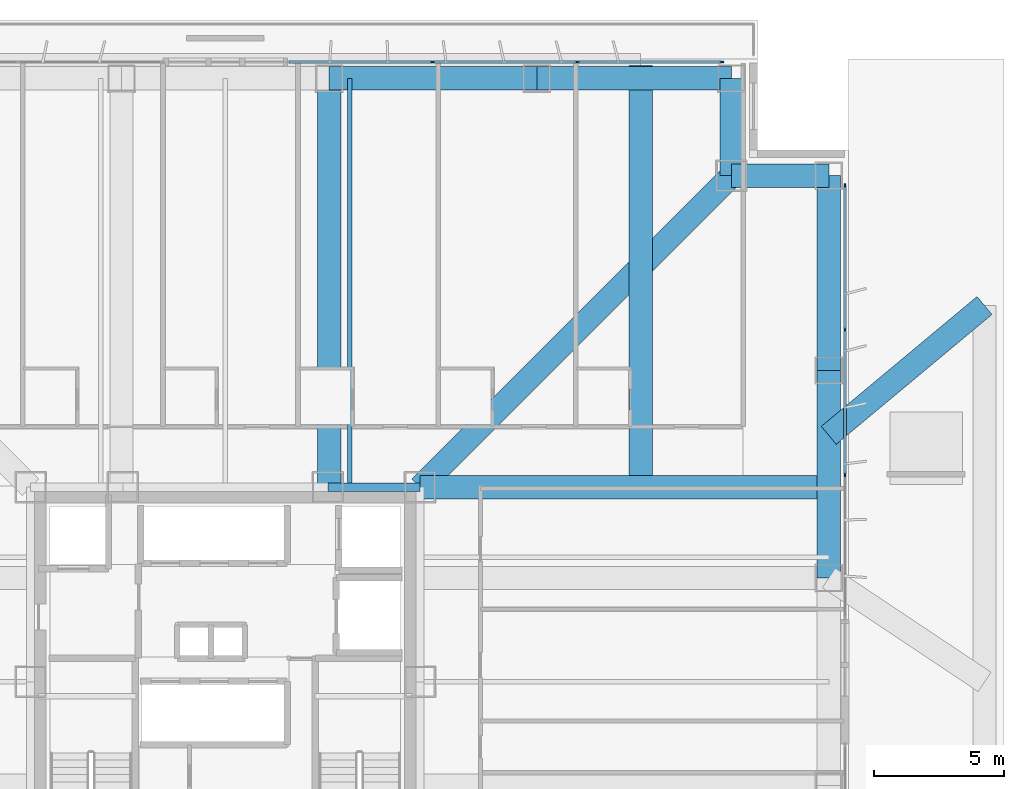
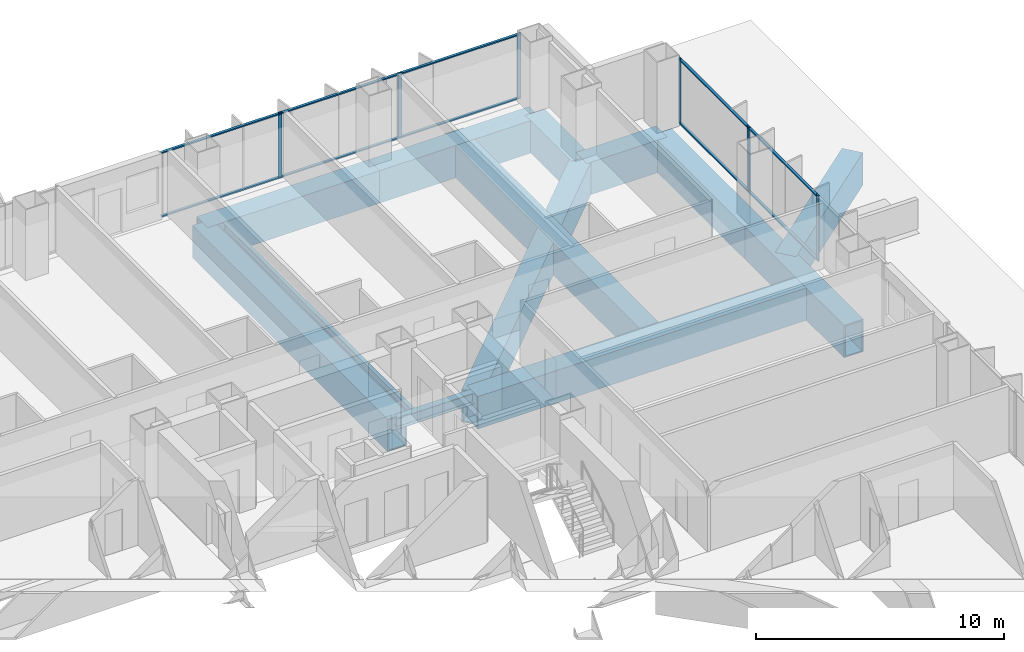
# One storey, part 13 of 24: 16 members, 13 beams, 2 elements without a shape of their own.
"""IFC4 building model written with IfcOpenShell, lengths in metres."""

from ifc_helpers import new_model, si_unit, direction, frame, origin, origin_2d, place, context, subcontext, project, spatial, rectangle, hollow_rectangle, i_section, extrude, material, layer, layer_set, material_profile, profile_set, type_object, element, aggregate, save


model = new_model("IFC4")

# Units and contexts
model_context = context("Model", 3, precision=1e-05, world=origin(), true_north=direction((0.0, 1.0)))
body_context = subcontext(model_context, "Body", "Model", "MODEL_VIEW")
ifc_project = project(units=[si_unit("LENGTHUNIT", "METRE"), si_unit("AREAUNIT", "SQUARE_METRE"), si_unit("VOLUMEUNIT", "CUBIC_METRE"), si_unit("PLANEANGLEUNIT", "RADIAN"), si_unit("MASSUNIT", "GRAM", prefix="KILO")], contexts=[model_context])

# Site, building, storey
site_placement = place(None, origin())
site = spatial("IfcSite", under=ifc_project, at=site_placement, CompositionType="ELEMENT")
building_placement = place(site_placement, origin())
building = spatial("IfcBuilding", under=site, at=building_placement, Name="Trevonay Congress Spire", CompositionType="ELEMENT")
storey_placement = place(building_placement, frame((0.0, 0.0, 27.0)))
storey = spatial("IfcBuildingStorey", under=building, at=storey_placement, Name="L05", CompositionType="ELEMENT", Elevation=27.0)

# Beams
ifc_material_1 = material(Name="Steel ASTM A572 Grade 50", Category="steel")
ifc_material_profile_1 = material_profile(ifc_material_1, i_section(OverallWidth=0.31201171875, OverallDepth=0.54296875, WebThickness=0.0126953125, FlangeThickness=0.020263671875, FilletRadius=0.014892578125, at=origin_2d()), Name="W530x150")
ifc_profile_set_1 = profile_set([ifc_material_profile_1], Name="Steel ASTM A572 Grade 50")
beam_type_1 = type_object("IfcBeamType", Name="BM-GIRD-W530X150", PredefinedType="BEAM", material=ifc_profile_set_1)
beam_1_placement = place(storey_placement, frame((3.949951171875, 7.5, -0.67138671875), z_axis=(1.0, 0.0, 0.0), x_axis=(0.0, 1.0, 0.0)))
element("IfcBeam", 1, at=beam_1_placement, inside=storey, type_object=beam_type_1, Name="L05 structural beam BM-L05-CR-N3", PredefinedType="BEAM", context=body_context, shape_type="SweptSolid", body=[
    extrude(i_section(OverallWidth=0.31201171875, OverallDepth=0.54296875, WebThickness=0.0126953125, FlangeThickness=0.020263671875, FilletRadius=0.014892578125, at=origin_2d()), origin(), (0.0, 0.0, 1.0), 3.550048828125),
])
ifc_material_profile_2 = material_profile(ifc_material_1, hollow_rectangle(XDim=0.89990234375, YDim=1.60009765625, WallThickness=0.06005859375, at=origin_2d()), Name="BOX 1600x900x60")
ifc_profile_set_2 = profile_set([ifc_material_profile_2], Name="Steel ASTM A572 Grade 50")
beam_type_2 = type_object("IfcBeamType", Name="BM-RING-BOX1600", PredefinedType="BEAM", material=ifc_profile_set_2)
for number, where, z_axis, x_axis, name in (
    (2, (4.0, 23.25, -1.199951171875), (1.0, 0.0, 0.0), (0.0, 1.0, 0.0), "L05 structural beam BM-L05-PN4"),
    (3, (23.25, 4.0, -1.199951171875), (0.0, 1.0, 0.0), (-1.0, 0.0, 0.0), "L05 structural beam BM-L05-PE4"),
):
    element("IfcBeam", number, at=place(storey_placement, frame(where, z_axis=z_axis, x_axis=x_axis)), inside=storey, type_object=beam_type_2, Name=name, PredefinedType="BEAM", context=body_context, shape_type="SweptSolid", body=[
        extrude(hollow_rectangle(XDim=0.89990234375, YDim=1.60009765625, WallThickness=0.06005859375, at=origin_2d()), origin(), (0.0, 0.0, 1.0), 8.0),
    ])
for number, where, z_axis, x_axis, name in (
    (4, (12.0, 23.25, -1.199951171875), (1.0, 0.0, 0.0), (0.0, 1.0, 0.0), "L05 structural beam BM-L05-PN5"),
    (5, (23.25, 12.0, -1.199951171875), (0.0, 1.0, 0.0), (-1.0, 0.0, 0.0), "L05 structural beam BM-L05-PE5"),
):
    element("IfcBeam", number, at=place(storey_placement, frame(where, z_axis=z_axis, x_axis=x_axis)), inside=storey, type_object=beam_type_2, Name=name, PredefinedType="BEAM", context=body_context, shape_type="SweptSolid", body=[
        extrude(hollow_rectangle(XDim=0.89990234375, YDim=1.60009765625, WallThickness=0.06005859375, at=origin_2d()), origin(), (0.0, 0.0, 1.0), 7.5),
    ])
for number, where, z_axis, x_axis, name in (
    (6, (19.5, 23.25, -1.199951171875), (0.0, -1.0, 0.0), (1.0, 0.0, 0.0), "L05 structural beam BM-L05-N1NE"),
    (7, (23.25, 19.5, -1.199951171875), (-1.0, 0.0, 0.0), (0.0, -1.0, 0.0), "L05 structural beam BM-L05-N2NE"),
):
    element("IfcBeam", number, at=place(storey_placement, frame(where, z_axis=z_axis, x_axis=x_axis)), inside=storey, type_object=beam_type_2, Name=name, PredefinedType="BEAM", context=body_context, shape_type="SweptSolid", body=[
        extrude(hollow_rectangle(XDim=0.89990234375, YDim=1.60009765625, WallThickness=0.06005859375, at=origin_2d()), origin(), (0.0, 0.0, 1.0), 3.75),
    ])
ifc_material_profile_3 = material_profile(ifc_material_1, hollow_rectangle(XDim=0.89990234375, YDim=1.60009765625, WallThickness=0.06005859375, at=origin_2d()), Name="BOX 1600x900x60")
ifc_profile_set_3 = profile_set([ifc_material_profile_3], Name="Steel ASTM A572 Grade 50")
beam_type_3 = type_object("IfcBeamType", Name="BM-XFER-BOX1600", PredefinedType="BEAM", material=ifc_profile_set_3)
beam_2_placement = place(storey_placement, frame((23.25, 9.5, -1.199951171875), z_axis=(0.768221279597, 0.640184399664, 0.0), x_axis=(-0.640184399664, 0.768221279597, 0.0)))
element("IfcBeam", 8, at=beam_2_placement, inside=storey, type_object=beam_type_3, Name="L05 structural beam BM-L05T-ET2", PredefinedType="BEAM", context=body_context, shape_type="SweptSolid", body=[
    extrude(hollow_rectangle(XDim=0.89990234375, YDim=1.60009765625, WallThickness=0.06005859375, at=origin_2d()), origin(), (0.0, 0.0, 1.0), 7.810302734375),
])
beam_3_placement = place(storey_placement, frame((16.0, 7.5, -1.199951171875), z_axis=(0.0, 1.0, 0.0), x_axis=(-1.0, 0.0, 0.0)))
element("IfcBeam", 9, at=beam_3_placement, inside=storey, type_object=beam_type_3, Name="L05 structural beam BM-L05T-NT2", PredefinedType="BEAM", context=body_context, shape_type="SweptSolid", body=[
    extrude(hollow_rectangle(XDim=0.89990234375, YDim=1.60009765625, WallThickness=0.06005859375, at=origin_2d()), origin(), (0.0, 0.0, 1.0), 16.25),
])
beam_4_placement = place(storey_placement, frame((7.5, 7.5, -1.199951171875), z_axis=(1.0, 0.0, 0.0), x_axis=(0.0, 1.0, 0.0)))
element("IfcBeam", 10, at=beam_4_placement, inside=storey, type_object=beam_type_3, Name="L05 structural beam BM-L05T-EWN", PredefinedType="BEAM", context=body_context, shape_type="SweptSolid", body=[
    extrude(hollow_rectangle(XDim=0.89990234375, YDim=1.60009765625, WallThickness=0.06005859375, at=origin_2d()), origin(), (0.0, 0.0, 1.0), 15.75),
])
beam_5_placement = place(storey_placement, frame((7.5, 7.5, -1.199951171875), z_axis=(0.707106781187, 0.707106781187, 0.0), x_axis=(-0.707106781187, 0.707106781187, 0.0)))
element("IfcBeam", 11, at=beam_5_placement, inside=storey, type_object=beam_type_3, Name="L05 structural beam BM-L05-CDNE", PredefinedType="BEAM", context=body_context, shape_type="SweptSolid", body=[
    extrude(hollow_rectangle(XDim=0.89990234375, YDim=1.60009765625, WallThickness=0.06005859375, at=origin_2d()), origin(), (0.0, 0.0, 1.0), 16.970458984375),
])
beam_6_placement = place(storey_placement, frame((4.0, 7.5, -1.199951171875), z_axis=(0.0, 1.0, 0.0), x_axis=(-1.0, 0.0, 0.0)))
element("IfcBeam", 12, at=beam_6_placement, inside=storey, type_object=beam_type_3, Name="L05 structural beam BM-L05-GN-P", PredefinedType="BEAM", context=body_context, shape_type="SweptSolid", body=[
    extrude(hollow_rectangle(XDim=0.89990234375, YDim=1.60009765625, WallThickness=0.06005859375, at=origin_2d()), origin(), (0.0, 0.0, 1.0), 15.75),
])

# Curtain wall, members
ifc_material_2 = material(Name="Pale Anodised Aluminium EN AW-6063-T6", Category="aluminium")
ifc_layer = layer(ifc_material_2, 0.179931640625, Name="Pale Anodised Aluminium EN AW-6063-T6")
ifc_layer_set = layer_set([ifc_layer], Name="Pale Anodised Aluminium EN AW-6063-T6")
curtain_wall_type = type_object("IfcCurtainWallType", Name="CW-SYS02-HOTEL-PALE-METAL", PredefinedType="NOTDEFINED", material=ifc_layer_set)
curtain_wall_1_placement = place(storey_placement, origin())
curtain_wall_1 = element("IfcCurtainWall", 13, at=curtain_wall_1_placement, inside=storey, type_object=curtain_wall_type, Name="L05 NB unitised curtain wall", PredefinedType="NOTDEFINED")
ifc_material_profile_4 = material_profile(ifc_material_2, rectangle(XDim=0.06005859375, YDim=0.159912109375, at=origin_2d()), Name="CW-MULLION-160-ALUMINIUM")
ifc_profile_set_4 = profile_set([ifc_material_profile_4], Name="Pale Anodised Aluminium EN AW-6063-T6")
member_type_1 = type_object("IfcMemberType", Name="CW-MULLION-160-ALUMINIUM", PredefinedType="MULLION", material=ifc_profile_set_4)
member_1_placement = place(storey_placement, frame((7.9833984375, 23.8798828125, 0.0), z_axis=(0.0, 0.0, 1.0), x_axis=(0.0, 1.0, 0.0)))
member_1 = element("IfcMember", 14, at=member_1_placement, type_object=member_type_1, Name="CW02 mullion 2", PredefinedType="MULLION", context=body_context, shape_type="SweptSolid", body=[
    extrude(rectangle(XDim=0.06005859375, YDim=0.159912109375, at=origin_2d()), origin(), (0.0, 0.0, 1.0), 3.25),
])
member_2_placement = place(storey_placement, frame((13.566650390625, 23.8798828125, 0.0), z_axis=(0.0, 0.0, 1.0), x_axis=(0.0, 1.0, 0.0)))
member_2 = element("IfcMember", 15, at=member_2_placement, type_object=member_type_1, Name="CW02 mullion 3", PredefinedType="MULLION", context=body_context, shape_type="SweptSolid", body=[
    extrude(rectangle(XDim=0.06005859375, YDim=0.159912109375, at=origin_2d()), origin(), (0.0, 0.0, 1.0), 3.25),
])
member_3_placement = place(storey_placement, frame((19.1201171875, 23.8798828125, 0.0), z_axis=(0.0, 0.0, 1.0), x_axis=(0.0, 1.0, 0.0)))
member_3 = element("IfcMember", 16, at=member_3_placement, type_object=member_type_1, Name="CW02 mullion 4", PredefinedType="MULLION", context=body_context, shape_type="SweptSolid", body=[
    extrude(rectangle(XDim=0.06005859375, YDim=0.159912109375, at=origin_2d()), origin(), (0.0, 0.0, 1.0), 3.25),
])

curtain_wall_2_placement = place(storey_placement, origin())
curtain_wall_2 = element("IfcCurtainWall", 17, at=curtain_wall_2_placement, inside=storey, type_object=curtain_wall_type, Name="L05 EB unitised curtain wall", PredefinedType="NOTDEFINED")
member_4_placement = place(storey_placement, frame((23.8798828125, 7.9833984375, 0.0), z_axis=(0.0, 0.0, 1.0), x_axis=(-1.0, 0.0, 0.0)))
member_4 = element("IfcMember", 18, at=member_4_placement, type_object=member_type_1, Name="CW02 mullion 2", PredefinedType="MULLION", context=body_context, shape_type="SweptSolid", body=[
    extrude(rectangle(XDim=0.06005859375, YDim=0.159912109375, at=origin_2d()), origin(), (0.0, 0.0, 1.0), 3.25),
])
member_5_placement = place(storey_placement, frame((23.8798828125, 13.566650390625, 0.0), z_axis=(0.0, 0.0, 1.0), x_axis=(-1.0, 0.0, 0.0)))
member_5 = element("IfcMember", 19, at=member_5_placement, type_object=member_type_1, Name="CW02 mullion 3", PredefinedType="MULLION", context=body_context, shape_type="SweptSolid", body=[
    extrude(rectangle(XDim=0.06005859375, YDim=0.159912109375, at=origin_2d()), origin(), (0.0, 0.0, 1.0), 3.25),
])
member_6_placement = place(storey_placement, frame((23.8798828125, 19.1201171875, 0.0), z_axis=(0.0, 0.0, 1.0), x_axis=(-1.0, 0.0, 0.0)))
member_6 = element("IfcMember", 20, at=member_6_placement, type_object=member_type_1, Name="CW02 mullion 4", PredefinedType="MULLION", context=body_context, shape_type="SweptSolid", body=[
    extrude(rectangle(XDim=0.06005859375, YDim=0.159912109375, at=origin_2d()), origin(), (0.0, 0.0, 1.0), 3.25),
])

# Member
ifc_material_profile_5 = material_profile(ifc_material_2, rectangle(XDim=0.1201171875, YDim=0.06005859375, at=origin_2d()), Name="CW-TRANSOM-120-ALUMINIUM")
ifc_profile_set_5 = profile_set([ifc_material_profile_5], Name="Pale Anodised Aluminium EN AW-6063-T6")
member_type_2 = type_object("IfcMemberType", Name="CW-TRANSOM-120-ALUMINIUM", PredefinedType="USERDEFINED", material=ifc_profile_set_5)
member_7_placement = place(storey_placement, frame((2.4599609375, 23.8798828125, 0.06005859375), z_axis=(1.0, 0.0, 0.0), x_axis=(0.0, 1.0, 0.0)))
member_7 = element("IfcMember", 21, at=member_7_placement, type_object=member_type_2, Name="CW02 transom 1.1", ObjectType="TRANSOM", PredefinedType="USERDEFINED", context=body_context, shape_type="SweptSolid", body=[
    extrude(rectangle(XDim=0.1201171875, YDim=0.06005859375, at=origin_2d()), origin(), (0.0, 0.0, 1.0), 5.493408203125),
])

member_8_placement = place(storey_placement, frame((2.4599609375, 23.8798828125, 3.18994140625), z_axis=(1.0, 0.0, 0.0), x_axis=(0.0, 1.0, 0.0)))
member_8 = element("IfcMember", 22, at=member_8_placement, type_object=member_type_2, Name="CW02 transom 1.2", ObjectType="TRANSOM", PredefinedType="USERDEFINED", context=body_context, shape_type="SweptSolid", body=[
    extrude(rectangle(XDim=0.1201171875, YDim=0.06005859375, at=origin_2d()), origin(), (0.0, 0.0, 1.0), 5.493408203125),
])

member_9_placement = place(storey_placement, frame((8.013427734375, 23.8798828125, 0.06005859375), z_axis=(1.0, 0.0, 0.0), x_axis=(0.0, 1.0, 0.0)))
member_9 = element("IfcMember", 23, at=member_9_placement, type_object=member_type_2, Name="CW02 transom 2.1", ObjectType="TRANSOM", PredefinedType="USERDEFINED", context=body_context, shape_type="SweptSolid", body=[
    extrude(rectangle(XDim=0.1201171875, YDim=0.06005859375, at=origin_2d()), origin(), (0.0, 0.0, 1.0), 5.523193359375),
])

member_10_placement = place(storey_placement, frame((8.013427734375, 23.8798828125, 3.18994140625), z_axis=(1.0, 0.0, 0.0), x_axis=(0.0, 1.0, 0.0)))
member_10 = element("IfcMember", 24, at=member_10_placement, type_object=member_type_2, Name="CW02 transom 2.2", ObjectType="TRANSOM", PredefinedType="USERDEFINED", context=body_context, shape_type="SweptSolid", body=[
    extrude(rectangle(XDim=0.1201171875, YDim=0.06005859375, at=origin_2d()), origin(), (0.0, 0.0, 1.0), 5.523193359375),
])

member_11_placement = place(storey_placement, frame((13.5966796875, 23.8798828125, 0.06005859375), z_axis=(1.0, 0.0, 0.0), x_axis=(0.0, 1.0, 0.0)))
member_11 = element("IfcMember", 25, at=member_11_placement, type_object=member_type_2, Name="CW02 transom 3.1", ObjectType="TRANSOM", PredefinedType="USERDEFINED", context=body_context, shape_type="SweptSolid", body=[
    extrude(rectangle(XDim=0.1201171875, YDim=0.06005859375, at=origin_2d()), origin(), (0.0, 0.0, 1.0), 5.493408203125),
])

member_12_placement = place(storey_placement, frame((13.5966796875, 23.8798828125, 3.18994140625), z_axis=(1.0, 0.0, 0.0), x_axis=(0.0, 1.0, 0.0)))
member_12 = element("IfcMember", 26, at=member_12_placement, type_object=member_type_2, Name="CW02 transom 3.2", ObjectType="TRANSOM", PredefinedType="USERDEFINED", context=body_context, shape_type="SweptSolid", body=[
    extrude(rectangle(XDim=0.1201171875, YDim=0.06005859375, at=origin_2d()), origin(), (0.0, 0.0, 1.0), 5.493408203125),
])

aggregate(curtain_wall_1, [member_1, member_2, member_3, member_7, member_8, member_9, member_10, member_11, member_12])

member_13_placement = place(storey_placement, frame((23.8798828125, 8.013427734375, 0.06005859375), z_axis=(0.0, 1.0, 0.0), x_axis=(-1.0, 0.0, 0.0)))
member_13 = element("IfcMember", 27, at=member_13_placement, type_object=member_type_2, Name="CW02 transom 2.1", ObjectType="TRANSOM", PredefinedType="USERDEFINED", context=body_context, shape_type="SweptSolid", body=[
    extrude(rectangle(XDim=0.1201171875, YDim=0.06005859375, at=origin_2d()), origin(), (0.0, 0.0, 1.0), 5.523193359375),
])

member_14_placement = place(storey_placement, frame((23.8798828125, 8.013427734375, 3.18994140625), z_axis=(0.0, 1.0, 0.0), x_axis=(-1.0, 0.0, 0.0)))
member_14 = element("IfcMember", 28, at=member_14_placement, type_object=member_type_2, Name="CW02 transom 2.2", ObjectType="TRANSOM", PredefinedType="USERDEFINED", context=body_context, shape_type="SweptSolid", body=[
    extrude(rectangle(XDim=0.1201171875, YDim=0.06005859375, at=origin_2d()), origin(), (0.0, 0.0, 1.0), 5.523193359375),
])

member_15_placement = place(storey_placement, frame((23.8798828125, 13.5966796875, 0.06005859375), z_axis=(0.0, 1.0, 0.0), x_axis=(-1.0, 0.0, 0.0)))
member_15 = element("IfcMember", 29, at=member_15_placement, type_object=member_type_2, Name="CW02 transom 3.1", ObjectType="TRANSOM", PredefinedType="USERDEFINED", context=body_context, shape_type="SweptSolid", body=[
    extrude(rectangle(XDim=0.1201171875, YDim=0.06005859375, at=origin_2d()), origin(), (0.0, 0.0, 1.0), 5.493408203125),
])

member_16_placement = place(storey_placement, frame((23.8798828125, 13.5966796875, 3.18994140625), z_axis=(0.0, 1.0, 0.0), x_axis=(-1.0, 0.0, 0.0)))
member_16 = element("IfcMember", 30, at=member_16_placement, type_object=member_type_2, Name="CW02 transom 3.2", ObjectType="TRANSOM", PredefinedType="USERDEFINED", context=body_context, shape_type="SweptSolid", body=[
    extrude(rectangle(XDim=0.1201171875, YDim=0.06005859375, at=origin_2d()), origin(), (0.0, 0.0, 1.0), 5.493408203125),
])

aggregate(curtain_wall_2, [member_4, member_5, member_6, member_13, member_14, member_15, member_16])

# Beam
ifc_material_profile_6 = material_profile(ifc_material_1, i_section(OverallWidth=0.177978515625, OverallDepth=0.406982421875, WebThickness=0.0078125, FlangeThickness=0.0126953125, FilletRadius=0.012939453125, at=origin_2d()), Name="W410x60")
ifc_profile_set_6 = profile_set([ifc_material_profile_6], Name="Steel ASTM A572 Grade 50")
beam_type_4 = type_object("IfcBeamType", Name="JS-COMP-W410X60", PredefinedType="JOIST", material=ifc_profile_set_6)
beam_7_placement = place(storey_placement, frame((4.800048828125, 7.5, -0.603515625), z_axis=(0.0, 1.0, 0.0), x_axis=(-1.0, 0.0, 0.0)))
element("IfcBeam", 31, at=beam_7_placement, inside=storey, type_object=beam_type_4, Name="L05 structural beam JS-L05-NS-N3", PredefinedType="JOIST", context=body_context, shape_type="SweptSolid", body=[
    extrude(i_section(OverallWidth=0.177978515625, OverallDepth=0.406982421875, WebThickness=0.0078125, FlangeThickness=0.0126953125, FilletRadius=0.012939453125, at=origin_2d()), origin(), (0.0, 0.0, 1.0), 15.75),
])

save(model, "model.ifc")
